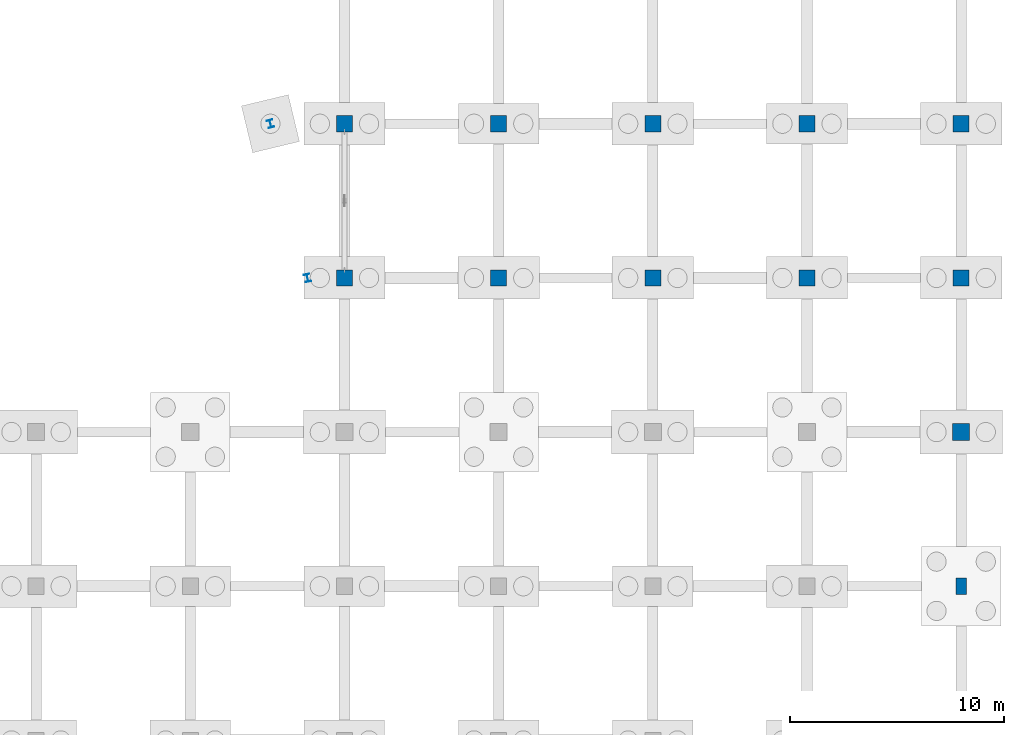
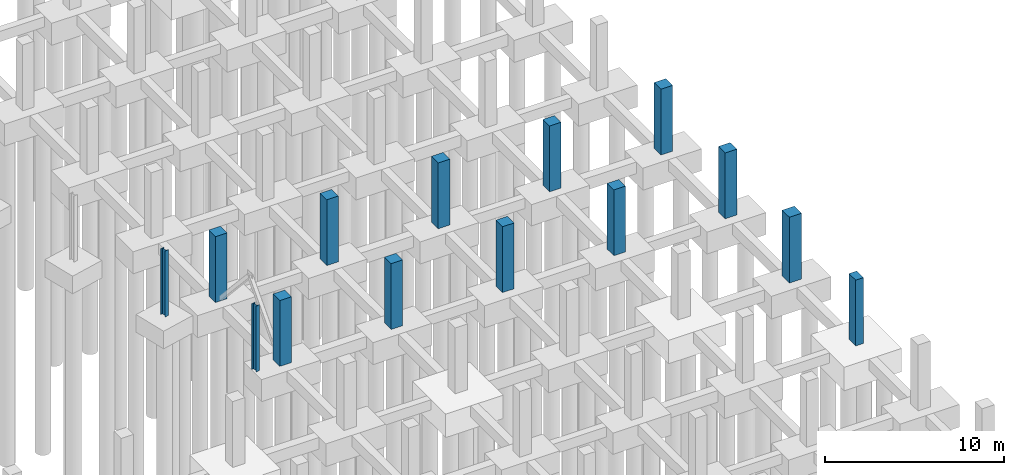
# One storey, part 20 of 36: 14 columns.
"""IFC4 building model written with IfcOpenShell, lengths in metres."""

from ifc_helpers import new_model, si_unit, direction, frame, origin, origin_2d, place, context, subcontext, project, spatial, rectangle, i_section, extrude, material, material_profile, profile_set, type_object, element, save


model = new_model("IFC4")

# Units and contexts
model_context = context("Model", 3, precision=1e-05, world=origin(), true_north=direction((0.0, 1.0)))
body_context = subcontext(model_context, "Body", "Model", "MODEL_VIEW")
ifc_project = project(units=[si_unit("LENGTHUNIT", "METRE"), si_unit("AREAUNIT", "SQUARE_METRE"), si_unit("VOLUMEUNIT", "CUBIC_METRE"), si_unit("PLANEANGLEUNIT", "RADIAN"), si_unit("MASSUNIT", "GRAM", prefix="KILO")], contexts=[model_context])

# Site, building, storey
site_placement = place(None, origin())
site = spatial("IfcSite", under=ifc_project, at=site_placement, CompositionType="ELEMENT")
building_placement = place(site_placement, origin())
building = spatial("IfcBuilding", under=site, at=building_placement, Name="Kalmorath City Hall", CompositionType="ELEMENT")
storey_placement = place(building_placement, frame((0.0, 0.0, -4.5)))
storey = spatial("IfcBuildingStorey", under=building, at=storey_placement, Name="B1", CompositionType="ELEMENT", Elevation=-4.5)

# Columns
ifc_material_1 = material(Name="Concrete C50/60", Category="concrete")
ifc_material_profile_1 = material_profile(ifc_material_1, rectangle(XDim=0.5, YDim=0.75, at=origin_2d()), Name="RC-PIL-500X750")
ifc_profile_set_1 = profile_set([ifc_material_profile_1], Name="Concrete C50/60")
column_type_1 = type_object("IfcColumnType", Name="Concrete acoustic wall pilaster 500x750", PredefinedType="PILASTER", material=ifc_profile_set_1)
column_1_placement = place(storey_placement, frame((165.60009765625, 36.0, 0.0), z_axis=(0.0, 0.0, 1.0), x_axis=(1.0, 0.0, 0.0)))
element("IfcColumn", 1, at=column_1_placement, inside=storey, type_object=column_type_1, Name="B1 column CP1 (24/6)", PredefinedType="PILASTER", context=body_context, shape_type="SweptSolid", body=[
    extrude(rectangle(XDim=0.5, YDim=0.75, at=origin_2d()), origin(), (0.0, 0.0, 1.0), 4.5),
])
ifc_material_2 = material(Name="Concrete C50/60", Category="concrete")
ifc_material_profile_2 = material_profile(ifc_material_2, rectangle(XDim=0.75, YDim=0.75, at=origin_2d()), Name="RC-COL-750X750")
ifc_profile_set_2 = profile_set([ifc_material_profile_2], Name="Concrete C50/60")
column_type_2 = type_object("IfcColumnType", Name="Concrete column 750x750", PredefinedType="COLUMN", material=ifc_profile_set_2)
for number, where, z_axis, x_axis, name in (
    (2, (136.800048828125, 50.39990234375, 0.0), (0.0, 0.0, 1.0), (1.0, 0.0, 0.0), "B1 column C3 (20/8)"),
    (3, (136.800048828125, 57.60009765625, 0.0), (0.0, 0.0, 1.0), (1.0, 0.0, 0.0), "B1 column C3 (20/9)"),
    (4, (144.0, 50.39990234375, 0.0), (0.0, 0.0, 1.0), (1.0, 0.0, 0.0), "B1 column C3 (21/8)"),
    (5, (144.0, 57.60009765625, 0.0), (0.0, 0.0, 1.0), (1.0, 0.0, 0.0), "B1 column C3 (21/9)"),
    (6, (151.199951171875, 50.39990234375, 0.0), (0.0, 0.0, 1.0), (1.0, 0.0, 0.0), "B1 column C3 (22/8)"),
    (7, (151.199951171875, 57.60009765625, 0.0), (0.0, 0.0, 1.0), (1.0, 0.0, 0.0), "B1 column C3 (22/9)"),
    (8, (158.39990234375, 50.39990234375, 0.0), (0.0, 0.0, 1.0), (1.0, 0.0, 0.0), "B1 column C3 (23/8)"),
    (9, (158.39990234375, 57.60009765625, 0.0), (0.0, 0.0, 1.0), (1.0, 0.0, 0.0), "B1 column C3 (23/9)"),
    (10, (165.60009765625, 50.39990234375, 0.0), (0.0, 0.0, 1.0), (1.0, 0.0, 0.0), "B1 column C3 (24/8)"),
    (11, (165.60009765625, 57.60009765625, 0.0), (0.0, 0.0, 1.0), (1.0, 0.0, 0.0), "B1 column C3 (24/9)"),
):
    element("IfcColumn", number, at=place(storey_placement, frame(where, z_axis=z_axis, x_axis=x_axis)), inside=storey, type_object=column_type_2, Name=name, PredefinedType="COLUMN", context=body_context, shape_type="SweptSolid", body=[
        extrude(rectangle(XDim=0.75, YDim=0.75, at=origin_2d()), origin(), (0.0, 0.0, 1.0), 4.5),
    ])
ifc_material_3 = material(Name="Concrete C50/60", Category="concrete")
ifc_material_profile_3 = material_profile(ifc_material_3, rectangle(XDim=0.800048828125, YDim=0.800048828125, at=origin_2d()), Name="RC-COL-800X800")
ifc_profile_set_3 = profile_set([ifc_material_profile_3], Name="Concrete C50/60")
column_type_3 = type_object("IfcColumnType", Name="Concrete column 800x800", PredefinedType="COLUMN", material=ifc_profile_set_3)
column_2_placement = place(storey_placement, frame((165.60009765625, 43.199951171875, 0.0), z_axis=(0.0, 0.0, 1.0), x_axis=(1.0, 0.0, 0.0)))
element("IfcColumn", 12, at=column_2_placement, inside=storey, type_object=column_type_3, Name="B1 column C2 (24/7)", PredefinedType="COLUMN", context=body_context, shape_type="SweptSolid", body=[
    extrude(rectangle(XDim=0.800048828125, YDim=0.800048828125, at=origin_2d()), origin(), (0.0, 0.0, 1.0), 4.5),
])
ifc_material_4 = material(Name="Steel ASTM A992 Grade 50", Category="steel")
ifc_material_profile_4 = material_profile(ifc_material_4, i_section(OverallWidth=0.256103515625, OverallDepth=0.360107421875, WebThickness=0.011474609375, FlangeThickness=0.02001953125, FilletRadius=0.014892578125, at=origin_2d()), Name="W14X74")
ifc_profile_set_4 = profile_set([ifc_material_profile_4], Name="Steel ASTM A992 Grade 50")
column_type_4 = type_object("IfcColumnType", Name="Steel wide-flange column W14X74", PredefinedType="COLUMN", material=ifc_profile_set_4)
for number, where, z_axis, x_axis, name in (
    (13, (135.0712890625, 50.39990234375, 0.0), (0.0, 0.0, 1.0), (0.972369920398, 0.233445363856, 0.0), "B1 library splay column SC4-2"),
    (14, (133.343017578125, 57.60009765625, 0.0), (0.0, 0.0, 1.0), (0.972369920398, 0.233445363856, 0.0), "B1 library splay column SC4-3"),
):
    element("IfcColumn", number, at=place(storey_placement, frame(where, z_axis=z_axis, x_axis=x_axis)), inside=storey, type_object=column_type_4, Name=name, PredefinedType="COLUMN", context=body_context, shape_type="SweptSolid", body=[
        extrude(i_section(OverallWidth=0.256103515625, OverallDepth=0.360107421875, WebThickness=0.011474609375, FlangeThickness=0.02001953125, FilletRadius=0.014892578125, at=origin_2d()), origin(), (0.0, 0.0, 1.0), 4.5),
    ])

save(model, "model.ifc")
